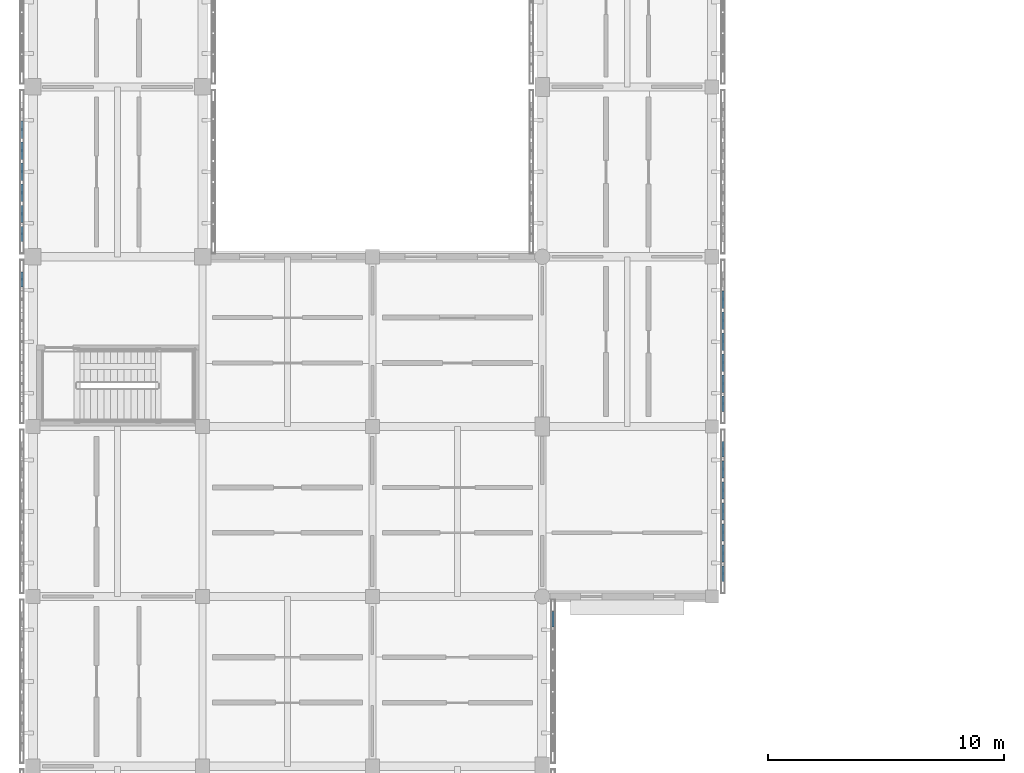
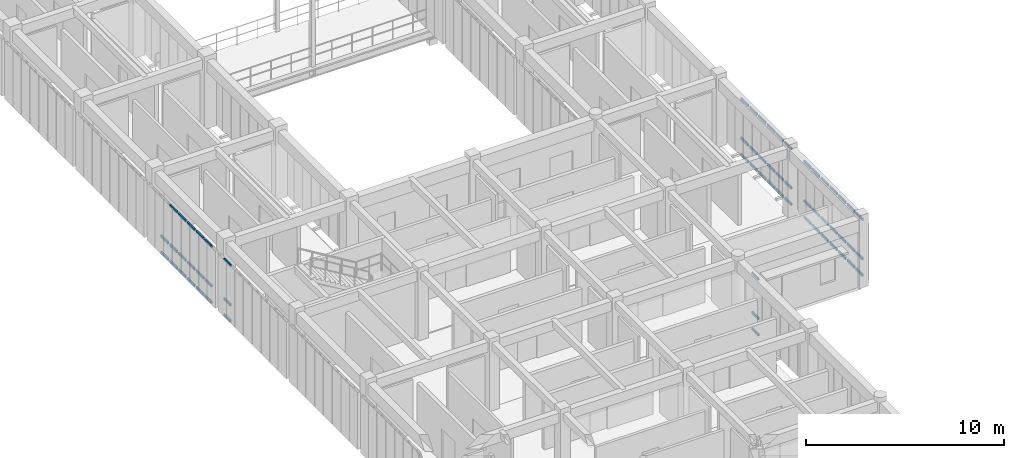
# One storey, part 76 of 171: 62 members, 5 elements without a shape of their own.
"""IFC4 building model written with IfcOpenShell, lengths in metres."""

from ifc_helpers import new_model, si_unit, direction, frame, origin, origin_2d, place, context, subcontext, project, spatial, hollow_rectangle, extrude, material, material_profile, profile_set, type_object, element, aggregate, save


model = new_model("IFC4")

# Units and contexts
model_context = context("Model", 3, precision=1e-05, world=origin(), true_north=direction((0.0, 1.0)))
body_context = subcontext(model_context, "Body", "Model", "MODEL_VIEW")
ifc_project = project(units=[si_unit("LENGTHUNIT", "METRE"), si_unit("AREAUNIT", "SQUARE_METRE"), si_unit("VOLUMEUNIT", "CUBIC_METRE"), si_unit("PLANEANGLEUNIT", "RADIAN"), si_unit("MASSUNIT", "GRAM", prefix="KILO")], contexts=[model_context])

# Site, building, storey
site_placement = place(None, origin())
site = spatial("IfcSite", under=ifc_project, at=site_placement, CompositionType="ELEMENT")
building_placement = place(site_placement, origin())
building = spatial("IfcBuilding", under=site, at=building_placement, Name="Aldebral Square Health Centre", CompositionType="ELEMENT")
storey_placement = place(building_placement, frame((0.0, 0.0, 4.5)))
storey = spatial("IfcBuildingStorey", under=building, at=storey_placement, Name="L01", CompositionType="ELEMENT", Elevation=4.5)

# Curtain wall, members
ifc_material_1 = material(Name="Aluminium and low-E solar glass", Category="aluminium")
curtain_wall_type = type_object("IfcCurtainWallType", Name="CW-FIN-SYS", PredefinedType="USERDEFINED", material=ifc_material_1)
curtain_wall_1_placement = place(storey_placement, origin())
curtain_wall_1 = element("IfcCurtainWall", 1, at=curtain_wall_1_placement, inside=storey, type_object=curtain_wall_type, Name="L01 V4 finned curtain wall L01-V4-00-08-W", ObjectType="SOLAR_CURTAIN_WALL", PredefinedType="USERDEFINED")
ifc_material_2 = material(Name="Anodised aluminium transom", Category="aluminium")
ifc_material_profile = material_profile(ifc_material_2, hollow_rectangle(XDim=0.074951171875, YDim=0.14990234375, WallThickness=0.00390625, at=origin_2d()), Name="CWT 75x150x4")
ifc_profile_set = profile_set([ifc_material_profile], Name="Anodised aluminium transom")
member_type = type_object("IfcMemberType", Name="CWT-STD", PredefinedType="USERDEFINED", material=ifc_profile_set)
member_1_placement = place(storey_placement, frame((-0.4599609375, 64.159912109375, 0.03759765625), z_axis=(0.0, -1.0, 0.0), x_axis=(1.0, 0.0, 0.0)))
member_1 = element("IfcMember", 2, at=member_1_placement, type_object=member_type, Name="CW1 transom 1.1", ObjectType="TRANSOM", PredefinedType="USERDEFINED", context=body_context, shape_type="SweptSolid", body=[
    extrude(hollow_rectangle(XDim=0.074951171875, YDim=0.14990234375, WallThickness=0.00390625, at=origin_2d()), origin(), (0.0, 0.0, 1.0), 0.6513671875),
])
member_2_placement = place(storey_placement, frame((-0.4599609375, 64.159912109375, 1.050048828125), z_axis=(0.0, -1.0, 0.0), x_axis=(1.0, 0.0, 0.0)))
member_2 = element("IfcMember", 3, at=member_2_placement, type_object=member_type, Name="CW1 transom 1.2", ObjectType="TRANSOM", PredefinedType="USERDEFINED", context=body_context, shape_type="SweptSolid", body=[
    extrude(hollow_rectangle(XDim=0.074951171875, YDim=0.14990234375, WallThickness=0.00390625, at=origin_2d()), origin(), (0.0, 0.0, 1.0), 0.6513671875),
])
member_3_placement = place(storey_placement, frame((-0.4599609375, 64.159912109375, 3.482421875), z_axis=(0.0, -1.0, 0.0), x_axis=(1.0, 0.0, 0.0)))
member_3 = element("IfcMember", 4, at=member_3_placement, type_object=member_type, Name="CW1 transom 1.3", ObjectType="TRANSOM", PredefinedType="USERDEFINED", context=body_context, shape_type="SweptSolid", body=[
    extrude(hollow_rectangle(XDim=0.074951171875, YDim=0.14990234375, WallThickness=0.00390625, at=origin_2d()), origin(), (0.0, 0.0, 1.0), 0.6513671875),
])
aggregate(curtain_wall_1, [member_1, member_2, member_3])

curtain_wall_2_placement = place(storey_placement, origin())
curtain_wall_2 = element("IfcCurtainWall", 5, at=curtain_wall_2_placement, inside=storey, type_object=curtain_wall_type, Name="L01 V4 finned curtain wall L01-V4-00-09-W", ObjectType="SOLAR_CURTAIN_WALL", PredefinedType="USERDEFINED")
member_4_placement = place(storey_placement, frame((-0.4599609375, 70.548583984375, 0.03759765625), z_axis=(0.0, -1.0, 0.0), x_axis=(1.0, 0.0, 0.0)))
member_4 = element("IfcMember", 6, at=member_4_placement, type_object=member_type, Name="CW1 transom 2.1", ObjectType="TRANSOM", PredefinedType="USERDEFINED", context=body_context, shape_type="SweptSolid", body=[
    extrude(hollow_rectangle(XDim=0.074951171875, YDim=0.14990234375, WallThickness=0.00390625, at=origin_2d()), origin(), (0.0, 0.0, 1.0), 0.7314453125),
])
member_5_placement = place(storey_placement, frame((-0.4599609375, 70.548583984375, 1.050048828125), z_axis=(0.0, -1.0, 0.0), x_axis=(1.0, 0.0, 0.0)))
member_5 = element("IfcMember", 7, at=member_5_placement, type_object=member_type, Name="CW1 transom 2.2", ObjectType="TRANSOM", PredefinedType="USERDEFINED", context=body_context, shape_type="SweptSolid", body=[
    extrude(hollow_rectangle(XDim=0.074951171875, YDim=0.14990234375, WallThickness=0.00390625, at=origin_2d()), origin(), (0.0, 0.0, 1.0), 0.7314453125),
])
member_6_placement = place(storey_placement, frame((-0.4599609375, 69.6572265625, 0.03759765625), z_axis=(0.0, -1.0, 0.0), x_axis=(1.0, 0.0, 0.0)))
member_6 = element("IfcMember", 8, at=member_6_placement, type_object=member_type, Name="CW1 transom 3.1", ObjectType="TRANSOM", PredefinedType="USERDEFINED", context=body_context, shape_type="SweptSolid", body=[
    extrude(hollow_rectangle(XDim=0.074951171875, YDim=0.14990234375, WallThickness=0.00390625, at=origin_2d()), origin(), (0.0, 0.0, 1.0), 0.7314453125),
])
member_7_placement = place(storey_placement, frame((-0.4599609375, 69.6572265625, 1.050048828125), z_axis=(0.0, -1.0, 0.0), x_axis=(1.0, 0.0, 0.0)))
member_7 = element("IfcMember", 9, at=member_7_placement, type_object=member_type, Name="CW1 transom 3.2", ObjectType="TRANSOM", PredefinedType="USERDEFINED", context=body_context, shape_type="SweptSolid", body=[
    extrude(hollow_rectangle(XDim=0.074951171875, YDim=0.14990234375, WallThickness=0.00390625, at=origin_2d()), origin(), (0.0, 0.0, 1.0), 0.7314453125),
])
member_8_placement = place(storey_placement, frame((-0.4599609375, 69.6572265625, 3.482421875), z_axis=(0.0, -1.0, 0.0), x_axis=(1.0, 0.0, 0.0)))
member_8 = element("IfcMember", 10, at=member_8_placement, type_object=member_type, Name="CW1 transom 3.3", ObjectType="TRANSOM", PredefinedType="USERDEFINED", context=body_context, shape_type="SweptSolid", body=[
    extrude(hollow_rectangle(XDim=0.074951171875, YDim=0.14990234375, WallThickness=0.00390625, at=origin_2d()), origin(), (0.0, 0.0, 1.0), 0.7314453125),
])
member_9_placement = place(storey_placement, frame((-0.4599609375, 68.765625, 0.03759765625), z_axis=(0.0, -1.0, 0.0), x_axis=(1.0, 0.0, 0.0)))
member_9 = element("IfcMember", 11, at=member_9_placement, type_object=member_type, Name="CW1 transom 4.1", ObjectType="TRANSOM", PredefinedType="USERDEFINED", context=body_context, shape_type="SweptSolid", body=[
    extrude(hollow_rectangle(XDim=0.074951171875, YDim=0.14990234375, WallThickness=0.00390625, at=origin_2d()), origin(), (0.0, 0.0, 1.0), 0.7314453125),
])
member_10_placement = place(storey_placement, frame((-0.4599609375, 68.765625, 1.050048828125), z_axis=(0.0, -1.0, 0.0), x_axis=(1.0, 0.0, 0.0)))
member_10 = element("IfcMember", 12, at=member_10_placement, type_object=member_type, Name="CW1 transom 4.2", ObjectType="TRANSOM", PredefinedType="USERDEFINED", context=body_context, shape_type="SweptSolid", body=[
    extrude(hollow_rectangle(XDim=0.074951171875, YDim=0.14990234375, WallThickness=0.00390625, at=origin_2d()), origin(), (0.0, 0.0, 1.0), 0.7314453125),
])
member_11_placement = place(storey_placement, frame((-0.4599609375, 68.765625, 3.482421875), z_axis=(0.0, -1.0, 0.0), x_axis=(1.0, 0.0, 0.0)))
member_11 = element("IfcMember", 13, at=member_11_placement, type_object=member_type, Name="CW1 transom 4.3", ObjectType="TRANSOM", PredefinedType="USERDEFINED", context=body_context, shape_type="SweptSolid", body=[
    extrude(hollow_rectangle(XDim=0.074951171875, YDim=0.14990234375, WallThickness=0.00390625, at=origin_2d()), origin(), (0.0, 0.0, 1.0), 0.7314453125),
])
member_12_placement = place(storey_placement, frame((-0.4599609375, 67.874267578125, 0.03759765625), z_axis=(0.0, -1.0, 0.0), x_axis=(1.0, 0.0, 0.0)))
member_12 = element("IfcMember", 14, at=member_12_placement, type_object=member_type, Name="CW1 transom 5.1", ObjectType="TRANSOM", PredefinedType="USERDEFINED", context=body_context, shape_type="SweptSolid", body=[
    extrude(hollow_rectangle(XDim=0.074951171875, YDim=0.14990234375, WallThickness=0.00390625, at=origin_2d()), origin(), (0.0, 0.0, 1.0), 0.7314453125),
])
member_13_placement = place(storey_placement, frame((-0.4599609375, 67.874267578125, 1.050048828125), z_axis=(0.0, -1.0, 0.0), x_axis=(1.0, 0.0, 0.0)))
member_13 = element("IfcMember", 15, at=member_13_placement, type_object=member_type, Name="CW1 transom 5.2", ObjectType="TRANSOM", PredefinedType="USERDEFINED", context=body_context, shape_type="SweptSolid", body=[
    extrude(hollow_rectangle(XDim=0.074951171875, YDim=0.14990234375, WallThickness=0.00390625, at=origin_2d()), origin(), (0.0, 0.0, 1.0), 0.7314453125),
])
member_14_placement = place(storey_placement, frame((-0.4599609375, 67.874267578125, 3.482421875), z_axis=(0.0, -1.0, 0.0), x_axis=(1.0, 0.0, 0.0)))
member_14 = element("IfcMember", 16, at=member_14_placement, type_object=member_type, Name="CW1 transom 5.3", ObjectType="TRANSOM", PredefinedType="USERDEFINED", context=body_context, shape_type="SweptSolid", body=[
    extrude(hollow_rectangle(XDim=0.074951171875, YDim=0.14990234375, WallThickness=0.00390625, at=origin_2d()), origin(), (0.0, 0.0, 1.0), 0.7314453125),
])
member_15_placement = place(storey_placement, frame((-0.4599609375, 66.98291015625, 0.03759765625), z_axis=(0.0, -1.0, 0.0), x_axis=(1.0, 0.0, 0.0)))
member_15 = element("IfcMember", 17, at=member_15_placement, type_object=member_type, Name="CW1 transom 6.1", ObjectType="TRANSOM", PredefinedType="USERDEFINED", context=body_context, shape_type="SweptSolid", body=[
    extrude(hollow_rectangle(XDim=0.074951171875, YDim=0.14990234375, WallThickness=0.00390625, at=origin_2d()), origin(), (0.0, 0.0, 1.0), 0.7314453125),
])
member_16_placement = place(storey_placement, frame((-0.4599609375, 66.98291015625, 1.050048828125), z_axis=(0.0, -1.0, 0.0), x_axis=(1.0, 0.0, 0.0)))
member_16 = element("IfcMember", 18, at=member_16_placement, type_object=member_type, Name="CW1 transom 6.2", ObjectType="TRANSOM", PredefinedType="USERDEFINED", context=body_context, shape_type="SweptSolid", body=[
    extrude(hollow_rectangle(XDim=0.074951171875, YDim=0.14990234375, WallThickness=0.00390625, at=origin_2d()), origin(), (0.0, 0.0, 1.0), 0.7314453125),
])
member_17_placement = place(storey_placement, frame((-0.4599609375, 66.98291015625, 3.482421875), z_axis=(0.0, -1.0, 0.0), x_axis=(1.0, 0.0, 0.0)))
member_17 = element("IfcMember", 19, at=member_17_placement, type_object=member_type, Name="CW1 transom 6.3", ObjectType="TRANSOM", PredefinedType="USERDEFINED", context=body_context, shape_type="SweptSolid", body=[
    extrude(hollow_rectangle(XDim=0.074951171875, YDim=0.14990234375, WallThickness=0.00390625, at=origin_2d()), origin(), (0.0, 0.0, 1.0), 0.7314453125),
])
member_18_placement = place(storey_placement, frame((-0.4599609375, 66.09130859375, 0.03759765625), z_axis=(0.0, -1.0, 0.0), x_axis=(1.0, 0.0, 0.0)))
member_18 = element("IfcMember", 20, at=member_18_placement, type_object=member_type, Name="CW1 transom 7.1", ObjectType="TRANSOM", PredefinedType="USERDEFINED", context=body_context, shape_type="SweptSolid", body=[
    extrude(hollow_rectangle(XDim=0.074951171875, YDim=0.14990234375, WallThickness=0.00390625, at=origin_2d()), origin(), (0.0, 0.0, 1.0), 0.6513671875),
])
member_19_placement = place(storey_placement, frame((-0.4599609375, 66.09130859375, 1.050048828125), z_axis=(0.0, -1.0, 0.0), x_axis=(1.0, 0.0, 0.0)))
member_19 = element("IfcMember", 21, at=member_19_placement, type_object=member_type, Name="CW1 transom 7.2", ObjectType="TRANSOM", PredefinedType="USERDEFINED", context=body_context, shape_type="SweptSolid", body=[
    extrude(hollow_rectangle(XDim=0.074951171875, YDim=0.14990234375, WallThickness=0.00390625, at=origin_2d()), origin(), (0.0, 0.0, 1.0), 0.6513671875),
])
member_20_placement = place(storey_placement, frame((-0.4599609375, 66.09130859375, 3.482421875), z_axis=(0.0, -1.0, 0.0), x_axis=(1.0, 0.0, 0.0)))
member_20 = element("IfcMember", 22, at=member_20_placement, type_object=member_type, Name="CW1 transom 7.3", ObjectType="TRANSOM", PredefinedType="USERDEFINED", context=body_context, shape_type="SweptSolid", body=[
    extrude(hollow_rectangle(XDim=0.074951171875, YDim=0.14990234375, WallThickness=0.00390625, at=origin_2d()), origin(), (0.0, 0.0, 1.0), 0.6513671875),
])
aggregate(curtain_wall_2, [member_4, member_5, member_6, member_7, member_8, member_9, member_10, member_11, member_12, member_13, member_14, member_15, member_16, member_17, member_18, member_19, member_20])

curtain_wall_3_placement = place(storey_placement, origin())
curtain_wall_3 = element("IfcCurtainWall", 23, at=curtain_wall_3_placement, inside=storey, type_object=curtain_wall_type, Name="L01 V6 finned curtain wall L01-V6-02-06-E", ObjectType="SOLAR_CURTAIN_WALL", PredefinedType="USERDEFINED")
member_21_placement = place(storey_placement, frame((22.06005859375, 49.108642578125, 0.03759765625), z_axis=(0.0, 1.0, 0.0), x_axis=(-1.0, 0.0, 0.0)))
member_21 = element("IfcMember", 24, at=member_21_placement, type_object=member_type, Name="CW1 transom 7.1", ObjectType="TRANSOM", PredefinedType="USERDEFINED", context=body_context, shape_type="SweptSolid", body=[
    extrude(hollow_rectangle(XDim=0.074951171875, YDim=0.14990234375, WallThickness=0.00390625, at=origin_2d()), origin(), (0.0, 0.0, 1.0), 0.6513671875),
])
member_22_placement = place(storey_placement, frame((22.06005859375, 49.108642578125, 1.050048828125), z_axis=(0.0, 1.0, 0.0), x_axis=(-1.0, 0.0, 0.0)))
member_22 = element("IfcMember", 25, at=member_22_placement, type_object=member_type, Name="CW1 transom 7.2", ObjectType="TRANSOM", PredefinedType="USERDEFINED", context=body_context, shape_type="SweptSolid", body=[
    extrude(hollow_rectangle(XDim=0.074951171875, YDim=0.14990234375, WallThickness=0.00390625, at=origin_2d()), origin(), (0.0, 0.0, 1.0), 0.6513671875),
])
member_23_placement = place(storey_placement, frame((22.06005859375, 49.108642578125, 3.482421875), z_axis=(0.0, 1.0, 0.0), x_axis=(-1.0, 0.0, 0.0)))
member_23 = element("IfcMember", 26, at=member_23_placement, type_object=member_type, Name="CW1 transom 7.3", ObjectType="TRANSOM", PredefinedType="USERDEFINED", context=body_context, shape_type="SweptSolid", body=[
    extrude(hollow_rectangle(XDim=0.074951171875, YDim=0.14990234375, WallThickness=0.00390625, at=origin_2d()), origin(), (0.0, 0.0, 1.0), 0.6513671875),
])
aggregate(curtain_wall_3, [member_21, member_22, member_23])

curtain_wall_4_placement = place(storey_placement, origin())
curtain_wall_4 = element("IfcCurtainWall", 27, at=curtain_wall_4_placement, inside=storey, type_object=curtain_wall_type, Name="L01 V4 finned curtain wall L01-V4-03-07-E", ObjectType="SOLAR_CURTAIN_WALL", PredefinedType="USERDEFINED")
member_24_placement = place(storey_placement, frame((29.260009765625, 51.0400390625, 0.03759765625), z_axis=(0.0, 1.0, 0.0), x_axis=(-1.0, 0.0, 0.0)))
member_24 = element("IfcMember", 28, at=member_24_placement, type_object=member_type, Name="CW1 transom 1.1", ObjectType="TRANSOM", PredefinedType="USERDEFINED", context=body_context, shape_type="SweptSolid", body=[
    extrude(hollow_rectangle(XDim=0.074951171875, YDim=0.14990234375, WallThickness=0.00390625, at=origin_2d()), origin(), (0.0, 0.0, 1.0), 0.6513671875),
])
member_25_placement = place(storey_placement, frame((29.260009765625, 51.0400390625, 1.050048828125), z_axis=(0.0, 1.0, 0.0), x_axis=(-1.0, 0.0, 0.0)))
member_25 = element("IfcMember", 29, at=member_25_placement, type_object=member_type, Name="CW1 transom 1.2", ObjectType="TRANSOM", PredefinedType="USERDEFINED", context=body_context, shape_type="SweptSolid", body=[
    extrude(hollow_rectangle(XDim=0.074951171875, YDim=0.14990234375, WallThickness=0.00390625, at=origin_2d()), origin(), (0.0, 0.0, 1.0), 0.6513671875),
])
member_26_placement = place(storey_placement, frame((29.260009765625, 51.0400390625, 3.482421875), z_axis=(0.0, 1.0, 0.0), x_axis=(-1.0, 0.0, 0.0)))
member_26 = element("IfcMember", 30, at=member_26_placement, type_object=member_type, Name="CW1 transom 1.3", ObjectType="TRANSOM", PredefinedType="USERDEFINED", context=body_context, shape_type="SweptSolid", body=[
    extrude(hollow_rectangle(XDim=0.074951171875, YDim=0.14990234375, WallThickness=0.00390625, at=origin_2d()), origin(), (0.0, 0.0, 1.0), 0.6513671875),
])
member_27_placement = place(storey_placement, frame((29.260009765625, 51.851318359375, 0.03759765625), z_axis=(0.0, 1.0, 0.0), x_axis=(-1.0, 0.0, 0.0)))
member_27 = element("IfcMember", 31, at=member_27_placement, type_object=member_type, Name="CW1 transom 2.1", ObjectType="TRANSOM", PredefinedType="USERDEFINED", context=body_context, shape_type="SweptSolid", body=[
    extrude(hollow_rectangle(XDim=0.074951171875, YDim=0.14990234375, WallThickness=0.00390625, at=origin_2d()), origin(), (0.0, 0.0, 1.0), 0.7314453125),
])
member_28_placement = place(storey_placement, frame((29.260009765625, 51.851318359375, 1.050048828125), z_axis=(0.0, 1.0, 0.0), x_axis=(-1.0, 0.0, 0.0)))
member_28 = element("IfcMember", 32, at=member_28_placement, type_object=member_type, Name="CW1 transom 2.2", ObjectType="TRANSOM", PredefinedType="USERDEFINED", context=body_context, shape_type="SweptSolid", body=[
    extrude(hollow_rectangle(XDim=0.074951171875, YDim=0.14990234375, WallThickness=0.00390625, at=origin_2d()), origin(), (0.0, 0.0, 1.0), 0.7314453125),
])
member_29_placement = place(storey_placement, frame((29.260009765625, 51.851318359375, 3.482421875), z_axis=(0.0, 1.0, 0.0), x_axis=(-1.0, 0.0, 0.0)))
member_29 = element("IfcMember", 33, at=member_29_placement, type_object=member_type, Name="CW1 transom 2.3", ObjectType="TRANSOM", PredefinedType="USERDEFINED", context=body_context, shape_type="SweptSolid", body=[
    extrude(hollow_rectangle(XDim=0.074951171875, YDim=0.14990234375, WallThickness=0.00390625, at=origin_2d()), origin(), (0.0, 0.0, 1.0), 0.7314453125),
])
member_30_placement = place(storey_placement, frame((29.260009765625, 52.742919921875, 0.03759765625), z_axis=(0.0, 1.0, 0.0), x_axis=(-1.0, 0.0, 0.0)))
member_30 = element("IfcMember", 34, at=member_30_placement, type_object=member_type, Name="CW1 transom 3.1", ObjectType="TRANSOM", PredefinedType="USERDEFINED", context=body_context, shape_type="SweptSolid", body=[
    extrude(hollow_rectangle(XDim=0.074951171875, YDim=0.14990234375, WallThickness=0.00390625, at=origin_2d()), origin(), (0.0, 0.0, 1.0), 0.7314453125),
])
member_31_placement = place(storey_placement, frame((29.260009765625, 52.742919921875, 1.050048828125), z_axis=(0.0, 1.0, 0.0), x_axis=(-1.0, 0.0, 0.0)))
member_31 = element("IfcMember", 35, at=member_31_placement, type_object=member_type, Name="CW1 transom 3.2", ObjectType="TRANSOM", PredefinedType="USERDEFINED", context=body_context, shape_type="SweptSolid", body=[
    extrude(hollow_rectangle(XDim=0.074951171875, YDim=0.14990234375, WallThickness=0.00390625, at=origin_2d()), origin(), (0.0, 0.0, 1.0), 0.7314453125),
])
member_32_placement = place(storey_placement, frame((29.260009765625, 52.742919921875, 3.482421875), z_axis=(0.0, 1.0, 0.0), x_axis=(-1.0, 0.0, 0.0)))
member_32 = element("IfcMember", 36, at=member_32_placement, type_object=member_type, Name="CW1 transom 3.3", ObjectType="TRANSOM", PredefinedType="USERDEFINED", context=body_context, shape_type="SweptSolid", body=[
    extrude(hollow_rectangle(XDim=0.074951171875, YDim=0.14990234375, WallThickness=0.00390625, at=origin_2d()), origin(), (0.0, 0.0, 1.0), 0.7314453125),
])
member_33_placement = place(storey_placement, frame((29.260009765625, 53.63427734375, 0.03759765625), z_axis=(0.0, 1.0, 0.0), x_axis=(-1.0, 0.0, 0.0)))
member_33 = element("IfcMember", 37, at=member_33_placement, type_object=member_type, Name="CW1 transom 4.1", ObjectType="TRANSOM", PredefinedType="USERDEFINED", context=body_context, shape_type="SweptSolid", body=[
    extrude(hollow_rectangle(XDim=0.074951171875, YDim=0.14990234375, WallThickness=0.00390625, at=origin_2d()), origin(), (0.0, 0.0, 1.0), 0.7314453125),
])
member_34_placement = place(storey_placement, frame((29.260009765625, 53.63427734375, 1.050048828125), z_axis=(0.0, 1.0, 0.0), x_axis=(-1.0, 0.0, 0.0)))
member_34 = element("IfcMember", 38, at=member_34_placement, type_object=member_type, Name="CW1 transom 4.2", ObjectType="TRANSOM", PredefinedType="USERDEFINED", context=body_context, shape_type="SweptSolid", body=[
    extrude(hollow_rectangle(XDim=0.074951171875, YDim=0.14990234375, WallThickness=0.00390625, at=origin_2d()), origin(), (0.0, 0.0, 1.0), 0.7314453125),
])
member_35_placement = place(storey_placement, frame((29.260009765625, 53.63427734375, 3.482421875), z_axis=(0.0, 1.0, 0.0), x_axis=(-1.0, 0.0, 0.0)))
member_35 = element("IfcMember", 39, at=member_35_placement, type_object=member_type, Name="CW1 transom 4.3", ObjectType="TRANSOM", PredefinedType="USERDEFINED", context=body_context, shape_type="SweptSolid", body=[
    extrude(hollow_rectangle(XDim=0.074951171875, YDim=0.14990234375, WallThickness=0.00390625, at=origin_2d()), origin(), (0.0, 0.0, 1.0), 0.7314453125),
])
member_36_placement = place(storey_placement, frame((29.260009765625, 54.525634765625, 0.03759765625), z_axis=(0.0, 1.0, 0.0), x_axis=(-1.0, 0.0, 0.0)))
member_36 = element("IfcMember", 40, at=member_36_placement, type_object=member_type, Name="CW1 transom 5.1", ObjectType="TRANSOM", PredefinedType="USERDEFINED", context=body_context, shape_type="SweptSolid", body=[
    extrude(hollow_rectangle(XDim=0.074951171875, YDim=0.14990234375, WallThickness=0.00390625, at=origin_2d()), origin(), (0.0, 0.0, 1.0), 0.7314453125),
])
member_37_placement = place(storey_placement, frame((29.260009765625, 54.525634765625, 1.050048828125), z_axis=(0.0, 1.0, 0.0), x_axis=(-1.0, 0.0, 0.0)))
member_37 = element("IfcMember", 41, at=member_37_placement, type_object=member_type, Name="CW1 transom 5.2", ObjectType="TRANSOM", PredefinedType="USERDEFINED", context=body_context, shape_type="SweptSolid", body=[
    extrude(hollow_rectangle(XDim=0.074951171875, YDim=0.14990234375, WallThickness=0.00390625, at=origin_2d()), origin(), (0.0, 0.0, 1.0), 0.7314453125),
])
member_38_placement = place(storey_placement, frame((29.260009765625, 54.525634765625, 3.482421875), z_axis=(0.0, 1.0, 0.0), x_axis=(-1.0, 0.0, 0.0)))
member_38 = element("IfcMember", 42, at=member_38_placement, type_object=member_type, Name="CW1 transom 5.3", ObjectType="TRANSOM", PredefinedType="USERDEFINED", context=body_context, shape_type="SweptSolid", body=[
    extrude(hollow_rectangle(XDim=0.074951171875, YDim=0.14990234375, WallThickness=0.00390625, at=origin_2d()), origin(), (0.0, 0.0, 1.0), 0.7314453125),
])
member_39_placement = place(storey_placement, frame((29.260009765625, 55.417236328125, 0.03759765625), z_axis=(0.0, 1.0, 0.0), x_axis=(-1.0, 0.0, 0.0)))
member_39 = element("IfcMember", 43, at=member_39_placement, type_object=member_type, Name="CW1 transom 6.1", ObjectType="TRANSOM", PredefinedType="USERDEFINED", context=body_context, shape_type="SweptSolid", body=[
    extrude(hollow_rectangle(XDim=0.074951171875, YDim=0.14990234375, WallThickness=0.00390625, at=origin_2d()), origin(), (0.0, 0.0, 1.0), 0.7314453125),
])
member_40_placement = place(storey_placement, frame((29.260009765625, 55.417236328125, 1.050048828125), z_axis=(0.0, 1.0, 0.0), x_axis=(-1.0, 0.0, 0.0)))
member_40 = element("IfcMember", 44, at=member_40_placement, type_object=member_type, Name="CW1 transom 6.2", ObjectType="TRANSOM", PredefinedType="USERDEFINED", context=body_context, shape_type="SweptSolid", body=[
    extrude(hollow_rectangle(XDim=0.074951171875, YDim=0.14990234375, WallThickness=0.00390625, at=origin_2d()), origin(), (0.0, 0.0, 1.0), 0.7314453125),
])
member_41_placement = place(storey_placement, frame((29.260009765625, 55.417236328125, 3.482421875), z_axis=(0.0, 1.0, 0.0), x_axis=(-1.0, 0.0, 0.0)))
member_41 = element("IfcMember", 45, at=member_41_placement, type_object=member_type, Name="CW1 transom 6.3", ObjectType="TRANSOM", PredefinedType="USERDEFINED", context=body_context, shape_type="SweptSolid", body=[
    extrude(hollow_rectangle(XDim=0.074951171875, YDim=0.14990234375, WallThickness=0.00390625, at=origin_2d()), origin(), (0.0, 0.0, 1.0), 0.7314453125),
])
member_42_placement = place(storey_placement, frame((29.260009765625, 56.30859375, 0.03759765625), z_axis=(0.0, 1.0, 0.0), x_axis=(-1.0, 0.0, 0.0)))
member_42 = element("IfcMember", 46, at=member_42_placement, type_object=member_type, Name="CW1 transom 7.1", ObjectType="TRANSOM", PredefinedType="USERDEFINED", context=body_context, shape_type="SweptSolid", body=[
    extrude(hollow_rectangle(XDim=0.074951171875, YDim=0.14990234375, WallThickness=0.00390625, at=origin_2d()), origin(), (0.0, 0.0, 1.0), 0.6513671875),
])
member_43_placement = place(storey_placement, frame((29.260009765625, 56.30859375, 1.050048828125), z_axis=(0.0, 1.0, 0.0), x_axis=(-1.0, 0.0, 0.0)))
member_43 = element("IfcMember", 47, at=member_43_placement, type_object=member_type, Name="CW1 transom 7.2", ObjectType="TRANSOM", PredefinedType="USERDEFINED", context=body_context, shape_type="SweptSolid", body=[
    extrude(hollow_rectangle(XDim=0.074951171875, YDim=0.14990234375, WallThickness=0.00390625, at=origin_2d()), origin(), (0.0, 0.0, 1.0), 0.6513671875),
])
member_44_placement = place(storey_placement, frame((29.260009765625, 56.30859375, 3.482421875), z_axis=(0.0, 1.0, 0.0), x_axis=(-1.0, 0.0, 0.0)))
member_44 = element("IfcMember", 48, at=member_44_placement, type_object=member_type, Name="CW1 transom 7.3", ObjectType="TRANSOM", PredefinedType="USERDEFINED", context=body_context, shape_type="SweptSolid", body=[
    extrude(hollow_rectangle(XDim=0.074951171875, YDim=0.14990234375, WallThickness=0.00390625, at=origin_2d()), origin(), (0.0, 0.0, 1.0), 0.6513671875),
])
aggregate(curtain_wall_4, [member_24, member_25, member_26, member_27, member_28, member_29, member_30, member_31, member_32, member_33, member_34, member_35, member_36, member_37, member_38, member_39, member_40, member_41, member_42, member_43, member_44])

curtain_wall_5_placement = place(storey_placement, origin())
curtain_wall_5 = element("IfcCurtainWall", 49, at=curtain_wall_5_placement, inside=storey, type_object=curtain_wall_type, Name="L01 V4 finned curtain wall L01-V4-03-08-E", ObjectType="SOLAR_CURTAIN_WALL", PredefinedType="USERDEFINED")
member_45_placement = place(storey_placement, frame((29.260009765625, 58.239990234375, 0.03759765625), z_axis=(0.0, 1.0, 0.0), x_axis=(-1.0, 0.0, 0.0)))
member_45 = element("IfcMember", 50, at=member_45_placement, type_object=member_type, Name="CW1 transom 1.1", ObjectType="TRANSOM", PredefinedType="USERDEFINED", context=body_context, shape_type="SweptSolid", body=[
    extrude(hollow_rectangle(XDim=0.074951171875, YDim=0.14990234375, WallThickness=0.00390625, at=origin_2d()), origin(), (0.0, 0.0, 1.0), 0.6513671875),
])
member_46_placement = place(storey_placement, frame((29.260009765625, 58.239990234375, 1.050048828125), z_axis=(0.0, 1.0, 0.0), x_axis=(-1.0, 0.0, 0.0)))
member_46 = element("IfcMember", 51, at=member_46_placement, type_object=member_type, Name="CW1 transom 1.2", ObjectType="TRANSOM", PredefinedType="USERDEFINED", context=body_context, shape_type="SweptSolid", body=[
    extrude(hollow_rectangle(XDim=0.074951171875, YDim=0.14990234375, WallThickness=0.00390625, at=origin_2d()), origin(), (0.0, 0.0, 1.0), 0.6513671875),
])
member_47_placement = place(storey_placement, frame((29.260009765625, 58.239990234375, 3.482421875), z_axis=(0.0, 1.0, 0.0), x_axis=(-1.0, 0.0, 0.0)))
member_47 = element("IfcMember", 52, at=member_47_placement, type_object=member_type, Name="CW1 transom 1.3", ObjectType="TRANSOM", PredefinedType="USERDEFINED", context=body_context, shape_type="SweptSolid", body=[
    extrude(hollow_rectangle(XDim=0.074951171875, YDim=0.14990234375, WallThickness=0.00390625, at=origin_2d()), origin(), (0.0, 0.0, 1.0), 0.6513671875),
])
member_48_placement = place(storey_placement, frame((29.260009765625, 59.051513671875, 0.03759765625), z_axis=(0.0, 1.0, 0.0), x_axis=(-1.0, 0.0, 0.0)))
member_48 = element("IfcMember", 53, at=member_48_placement, type_object=member_type, Name="CW1 transom 2.1", ObjectType="TRANSOM", PredefinedType="USERDEFINED", context=body_context, shape_type="SweptSolid", body=[
    extrude(hollow_rectangle(XDim=0.074951171875, YDim=0.14990234375, WallThickness=0.00390625, at=origin_2d()), origin(), (0.0, 0.0, 1.0), 0.7314453125),
])
member_49_placement = place(storey_placement, frame((29.260009765625, 59.051513671875, 1.050048828125), z_axis=(0.0, 1.0, 0.0), x_axis=(-1.0, 0.0, 0.0)))
member_49 = element("IfcMember", 54, at=member_49_placement, type_object=member_type, Name="CW1 transom 2.2", ObjectType="TRANSOM", PredefinedType="USERDEFINED", context=body_context, shape_type="SweptSolid", body=[
    extrude(hollow_rectangle(XDim=0.074951171875, YDim=0.14990234375, WallThickness=0.00390625, at=origin_2d()), origin(), (0.0, 0.0, 1.0), 0.7314453125),
])
member_50_placement = place(storey_placement, frame((29.260009765625, 59.051513671875, 3.482421875), z_axis=(0.0, 1.0, 0.0), x_axis=(-1.0, 0.0, 0.0)))
member_50 = element("IfcMember", 55, at=member_50_placement, type_object=member_type, Name="CW1 transom 2.3", ObjectType="TRANSOM", PredefinedType="USERDEFINED", context=body_context, shape_type="SweptSolid", body=[
    extrude(hollow_rectangle(XDim=0.074951171875, YDim=0.14990234375, WallThickness=0.00390625, at=origin_2d()), origin(), (0.0, 0.0, 1.0), 0.7314453125),
])
member_51_placement = place(storey_placement, frame((29.260009765625, 59.94287109375, 0.03759765625), z_axis=(0.0, 1.0, 0.0), x_axis=(-1.0, 0.0, 0.0)))
member_51 = element("IfcMember", 56, at=member_51_placement, type_object=member_type, Name="CW1 transom 3.1", ObjectType="TRANSOM", PredefinedType="USERDEFINED", context=body_context, shape_type="SweptSolid", body=[
    extrude(hollow_rectangle(XDim=0.074951171875, YDim=0.14990234375, WallThickness=0.00390625, at=origin_2d()), origin(), (0.0, 0.0, 1.0), 0.7314453125),
])
member_52_placement = place(storey_placement, frame((29.260009765625, 59.94287109375, 1.050048828125), z_axis=(0.0, 1.0, 0.0), x_axis=(-1.0, 0.0, 0.0)))
member_52 = element("IfcMember", 57, at=member_52_placement, type_object=member_type, Name="CW1 transom 3.2", ObjectType="TRANSOM", PredefinedType="USERDEFINED", context=body_context, shape_type="SweptSolid", body=[
    extrude(hollow_rectangle(XDim=0.074951171875, YDim=0.14990234375, WallThickness=0.00390625, at=origin_2d()), origin(), (0.0, 0.0, 1.0), 0.7314453125),
])
member_53_placement = place(storey_placement, frame((29.260009765625, 59.94287109375, 3.482421875), z_axis=(0.0, 1.0, 0.0), x_axis=(-1.0, 0.0, 0.0)))
member_53 = element("IfcMember", 58, at=member_53_placement, type_object=member_type, Name="CW1 transom 3.3", ObjectType="TRANSOM", PredefinedType="USERDEFINED", context=body_context, shape_type="SweptSolid", body=[
    extrude(hollow_rectangle(XDim=0.074951171875, YDim=0.14990234375, WallThickness=0.00390625, at=origin_2d()), origin(), (0.0, 0.0, 1.0), 0.7314453125),
])
member_54_placement = place(storey_placement, frame((29.260009765625, 60.834228515625, 0.03759765625), z_axis=(0.0, 1.0, 0.0), x_axis=(-1.0, 0.0, 0.0)))
member_54 = element("IfcMember", 59, at=member_54_placement, type_object=member_type, Name="CW1 transom 4.1", ObjectType="TRANSOM", PredefinedType="USERDEFINED", context=body_context, shape_type="SweptSolid", body=[
    extrude(hollow_rectangle(XDim=0.074951171875, YDim=0.14990234375, WallThickness=0.00390625, at=origin_2d()), origin(), (0.0, 0.0, 1.0), 0.7314453125),
])
member_55_placement = place(storey_placement, frame((29.260009765625, 60.834228515625, 1.050048828125), z_axis=(0.0, 1.0, 0.0), x_axis=(-1.0, 0.0, 0.0)))
member_55 = element("IfcMember", 60, at=member_55_placement, type_object=member_type, Name="CW1 transom 4.2", ObjectType="TRANSOM", PredefinedType="USERDEFINED", context=body_context, shape_type="SweptSolid", body=[
    extrude(hollow_rectangle(XDim=0.074951171875, YDim=0.14990234375, WallThickness=0.00390625, at=origin_2d()), origin(), (0.0, 0.0, 1.0), 0.7314453125),
])
member_56_placement = place(storey_placement, frame((29.260009765625, 60.834228515625, 3.482421875), z_axis=(0.0, 1.0, 0.0), x_axis=(-1.0, 0.0, 0.0)))
member_56 = element("IfcMember", 61, at=member_56_placement, type_object=member_type, Name="CW1 transom 4.3", ObjectType="TRANSOM", PredefinedType="USERDEFINED", context=body_context, shape_type="SweptSolid", body=[
    extrude(hollow_rectangle(XDim=0.074951171875, YDim=0.14990234375, WallThickness=0.00390625, at=origin_2d()), origin(), (0.0, 0.0, 1.0), 0.7314453125),
])
member_57_placement = place(storey_placement, frame((29.260009765625, 61.725830078125, 0.03759765625), z_axis=(0.0, 1.0, 0.0), x_axis=(-1.0, 0.0, 0.0)))
member_57 = element("IfcMember", 62, at=member_57_placement, type_object=member_type, Name="CW1 transom 5.1", ObjectType="TRANSOM", PredefinedType="USERDEFINED", context=body_context, shape_type="SweptSolid", body=[
    extrude(hollow_rectangle(XDim=0.074951171875, YDim=0.14990234375, WallThickness=0.00390625, at=origin_2d()), origin(), (0.0, 0.0, 1.0), 0.731201171875),
])
member_58_placement = place(storey_placement, frame((29.260009765625, 61.725830078125, 1.050048828125), z_axis=(0.0, 1.0, 0.0), x_axis=(-1.0, 0.0, 0.0)))
member_58 = element("IfcMember", 63, at=member_58_placement, type_object=member_type, Name="CW1 transom 5.2", ObjectType="TRANSOM", PredefinedType="USERDEFINED", context=body_context, shape_type="SweptSolid", body=[
    extrude(hollow_rectangle(XDim=0.074951171875, YDim=0.14990234375, WallThickness=0.00390625, at=origin_2d()), origin(), (0.0, 0.0, 1.0), 0.731201171875),
])
member_59_placement = place(storey_placement, frame((29.260009765625, 61.725830078125, 3.482421875), z_axis=(0.0, 1.0, 0.0), x_axis=(-1.0, 0.0, 0.0)))
member_59 = element("IfcMember", 64, at=member_59_placement, type_object=member_type, Name="CW1 transom 5.3", ObjectType="TRANSOM", PredefinedType="USERDEFINED", context=body_context, shape_type="SweptSolid", body=[
    extrude(hollow_rectangle(XDim=0.074951171875, YDim=0.14990234375, WallThickness=0.00390625, at=origin_2d()), origin(), (0.0, 0.0, 1.0), 0.731201171875),
])
member_60_placement = place(storey_placement, frame((29.260009765625, 62.6171875, 0.03759765625), z_axis=(0.0, 1.0, 0.0), x_axis=(-1.0, 0.0, 0.0)))
member_60 = element("IfcMember", 65, at=member_60_placement, type_object=member_type, Name="CW1 transom 6.1", ObjectType="TRANSOM", PredefinedType="USERDEFINED", context=body_context, shape_type="SweptSolid", body=[
    extrude(hollow_rectangle(XDim=0.074951171875, YDim=0.14990234375, WallThickness=0.00390625, at=origin_2d()), origin(), (0.0, 0.0, 1.0), 0.7314453125),
])
member_61_placement = place(storey_placement, frame((29.260009765625, 62.6171875, 1.050048828125), z_axis=(0.0, 1.0, 0.0), x_axis=(-1.0, 0.0, 0.0)))
member_61 = element("IfcMember", 66, at=member_61_placement, type_object=member_type, Name="CW1 transom 6.2", ObjectType="TRANSOM", PredefinedType="USERDEFINED", context=body_context, shape_type="SweptSolid", body=[
    extrude(hollow_rectangle(XDim=0.074951171875, YDim=0.14990234375, WallThickness=0.00390625, at=origin_2d()), origin(), (0.0, 0.0, 1.0), 0.7314453125),
])
member_62_placement = place(storey_placement, frame((29.260009765625, 62.6171875, 3.482421875), z_axis=(0.0, 1.0, 0.0), x_axis=(-1.0, 0.0, 0.0)))
member_62 = element("IfcMember", 67, at=member_62_placement, type_object=member_type, Name="CW1 transom 6.3", ObjectType="TRANSOM", PredefinedType="USERDEFINED", context=body_context, shape_type="SweptSolid", body=[
    extrude(hollow_rectangle(XDim=0.074951171875, YDim=0.14990234375, WallThickness=0.00390625, at=origin_2d()), origin(), (0.0, 0.0, 1.0), 0.7314453125),
])
aggregate(curtain_wall_5, [member_45, member_46, member_47, member_48, member_49, member_50, member_51, member_52, member_53, member_54, member_55, member_56, member_57, member_58, member_59, member_60, member_61, member_62])

save(model, "model.ifc")
